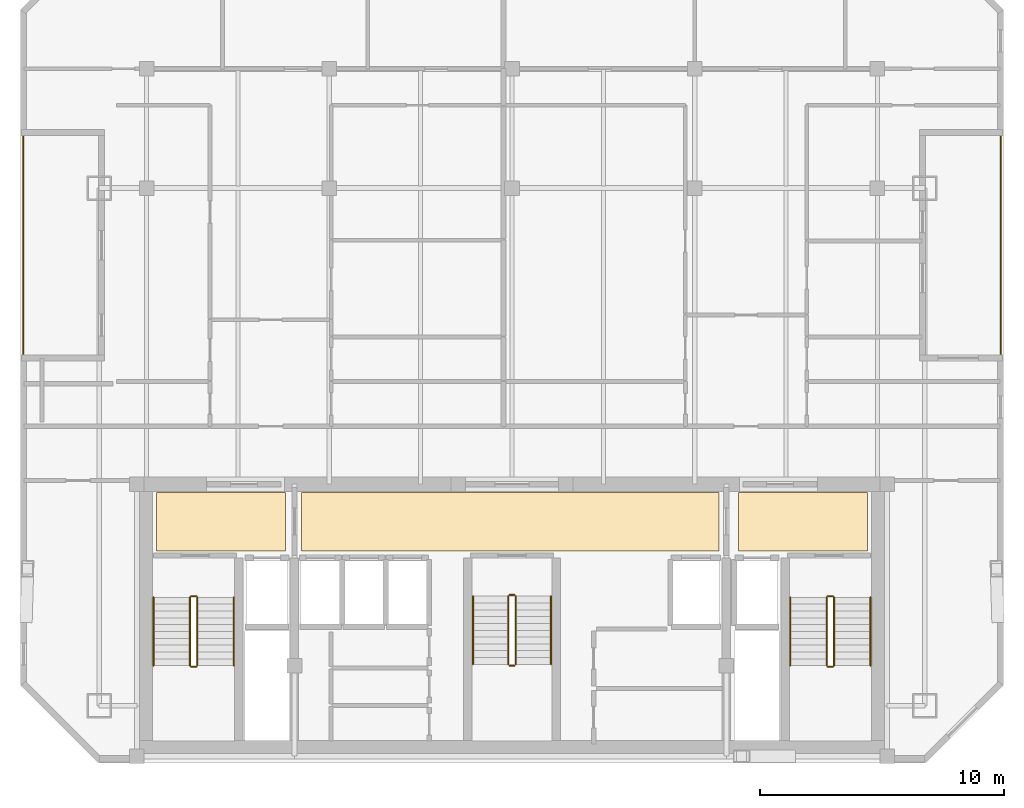
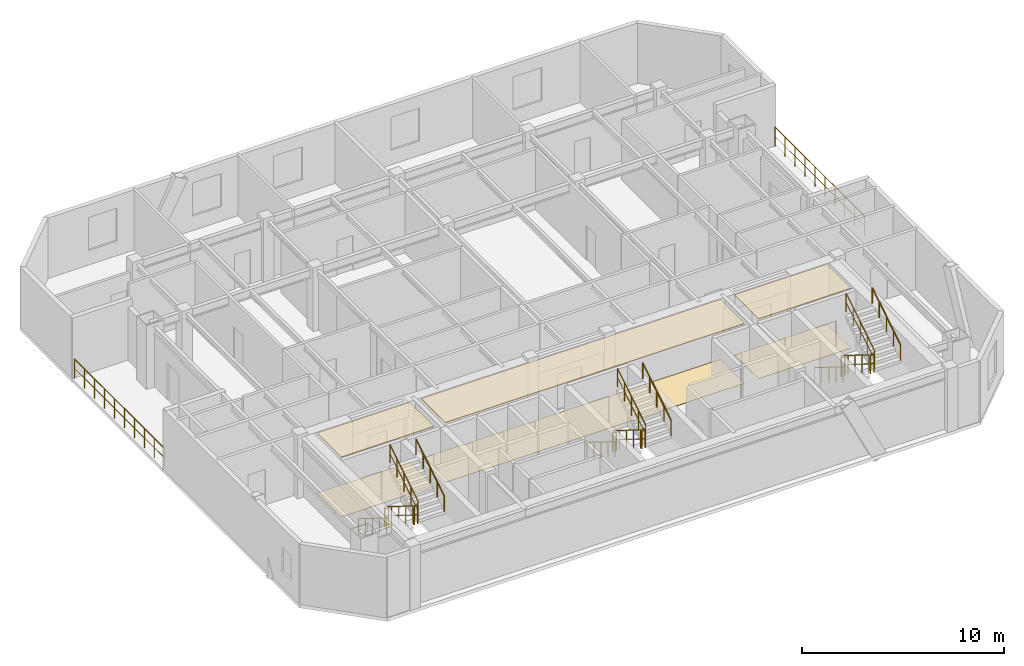
# One storey, part 7 of 7: 20 railings, 6 coverings.
"""IFC4 building model written with IfcOpenShell, lengths in metres."""

from ifc_helpers import new_model, si_unit, direction, frame, origin, origin_2d, place, context, subcontext, project, spatial, polyline, circle, outline, extrude, material, layer, layer_set, type_object, element, save


model = new_model("IFC4")

# Units and contexts
model_context = context("Model", 3, precision=1e-05, world=origin(), true_north=direction((0.0, 1.0)))
body_context = subcontext(model_context, "Body", "Model", "MODEL_VIEW")
ifc_project = project(units=[si_unit("LENGTHUNIT", "METRE"), si_unit("AREAUNIT", "SQUARE_METRE"), si_unit("VOLUMEUNIT", "CUBIC_METRE"), si_unit("PLANEANGLEUNIT", "RADIAN"), si_unit("MASSUNIT", "GRAM", prefix="KILO")], contexts=[model_context])

# Site, building, storey
site_placement = place(None, origin())
site = spatial("IfcSite", under=ifc_project, at=site_placement, CompositionType="ELEMENT")
building_placement = place(site_placement, origin())
building = spatial("IfcBuilding", under=site, at=building_placement, Name="Ventersveld Concourse Tower", CompositionType="ELEMENT")
storey_placement = place(building_placement, frame((0.0, 0.0, 292.60009765625)))
storey = spatial("IfcBuildingStorey", under=building, at=storey_placement, Name="L72", CompositionType="ELEMENT", Elevation=292.60009765625)

# Coverings
ifc_material_1 = material(Name="Mineral-fibre acoustic ceiling tile", Category="gypsum")
ifc_layer_1 = layer(ifc_material_1, 0.0400390625)
ifc_layer_set_1 = layer_set([ifc_layer_1], Name="Mineral-fibre acoustic ceiling tile")
covering_type_1 = type_object("IfcCoveringType", Name="COV-CEIL-ACOUSTIC", PredefinedType="CEILING", material=ifc_layer_set_1)
covering_1_placement = place(storey_placement, frame((0.0, 0.0, 3.60986328125)))
element("IfcCovering", 1, at=covering_1_placement, inside=storey, type_object=covering_type_1, Name="L72 North Lift Lobby Acoustic Ceiling", PredefinedType="CEILING", context=body_context, shape_type="SweptSolid", body=[
    extrude(outline(polyline([(20.10009765625, 8.699951171875), (37.25, 8.699951171875), (37.25, 11.10009765625), (20.10009765625, 11.10009765625), (20.10009765625, 8.699951171875)])), origin(), (0.0, 0.0, 1.0), 0.0400390625),
])
covering_2_placement = place(storey_placement, frame((0.0, 0.0, 3.60986328125)))
element("IfcCovering", 2, at=covering_2_placement, inside=storey, type_object=covering_type_1, Name="L72 West Firefighting Lobby Acoustic Ceiling", PredefinedType="CEILING", context=body_context, shape_type="SweptSolid", body=[
    extrude(outline(polyline([(14.14990234375, 8.699951171875), (19.449951171875, 8.699951171875), (19.449951171875, 11.10009765625), (14.14990234375, 11.10009765625), (14.14990234375, 8.699951171875)])), origin(), (0.0, 0.0, 1.0), 0.0400390625),
])
covering_3_placement = place(storey_placement, frame((0.0, 0.0, 3.60986328125)))
element("IfcCovering", 3, at=covering_3_placement, inside=storey, type_object=covering_type_1, Name="L72 East Firefighting Lobby Acoustic Ceiling", PredefinedType="CEILING", context=body_context, shape_type="SweptSolid", body=[
    extrude(outline(polyline([(38.050048828125, 8.699951171875), (43.35009765625, 8.699951171875), (43.35009765625, 11.10009765625), (38.050048828125, 11.10009765625), (38.050048828125, 8.699951171875)])), origin(), (0.0, 0.0, 1.0), 0.0400390625),
])
ifc_material_2 = material(Name="Polished Highveld granite terrazzo", Category="masonry")
ifc_layer_2 = layer(ifc_material_2, 0.02001953125)
ifc_layer_set_2 = layer_set([ifc_layer_2], Name="Polished Highveld granite terrazzo")
covering_type_2 = type_object("IfcCoveringType", Name="COV-FLOOR-TERRAZZO", PredefinedType="FLOORING", material=ifc_layer_set_2)
covering_4_placement = place(storey_placement, origin())
element("IfcCovering", 4, at=covering_4_placement, inside=storey, type_object=covering_type_2, Name="L72 North Lift Lobby Terrazzo Flooring", PredefinedType="FLOORING", context=body_context, shape_type="SweptSolid", body=[
    extrude(outline(polyline([(20.10009765625, 8.699951171875), (37.25, 8.699951171875), (37.25, 11.10009765625), (20.10009765625, 11.10009765625), (20.10009765625, 8.699951171875)])), origin(), (0.0, 0.0, 1.0), 0.02001953125),
])
covering_5_placement = place(storey_placement, origin())
element("IfcCovering", 5, at=covering_5_placement, inside=storey, type_object=covering_type_2, Name="L72 West Firefighting Lobby Terrazzo Flooring", PredefinedType="FLOORING", context=body_context, shape_type="SweptSolid", body=[
    extrude(outline(polyline([(14.14990234375, 8.699951171875), (19.449951171875, 8.699951171875), (19.449951171875, 11.10009765625), (14.14990234375, 11.10009765625), (14.14990234375, 8.699951171875)])), origin(), (0.0, 0.0, 1.0), 0.02001953125),
])
covering_6_placement = place(storey_placement, origin())
element("IfcCovering", 6, at=covering_6_placement, inside=storey, type_object=covering_type_2, Name="L72 East Firefighting Lobby Terrazzo Flooring", PredefinedType="FLOORING", context=body_context, shape_type="SweptSolid", body=[
    extrude(outline(polyline([(38.050048828125, 8.699951171875), (43.35009765625, 8.699951171875), (43.35009765625, 11.10009765625), (38.050048828125, 11.10009765625), (38.050048828125, 8.699951171875)])), origin(), (0.0, 0.0, 1.0), 0.02001953125),
])

# Railings
ifc_material_3 = material(Name="Brushed stainless steel 316", Category="steel")
railing_type_1 = type_object("IfcRailingType", Name="GD-BAL-115", PredefinedType="GUARDRAIL", material=ifc_material_3)
railing_1_placement = place(storey_placement, frame((15.530029296875, 6.800048828125, 0.1748046875)))
element("IfcRailing", 7, at=railing_1_placement, inside=storey, type_object=railing_type_1, Name="L72 ST-01 stair guard 1", PredefinedType="GUARDRAIL", context=body_context, shape_type="SweptSolid", body=[
    extrude(circle(Radius=0.02392578125, at=origin_2d()), frame((0.0, 0.0, 1.1259765625), z_axis=(0.0, -0.848002457836, 0.529992293815), x_axis=(1.0, 0.0, 0.0)), (0.0, 0.0, 1.0), 3.302001953125),
    extrude(circle(Radius=0.01611328125, at=origin_2d()), frame((0.0, 0.0, 0.574951171875), z_axis=(0.0, -0.848002457836, 0.529992293815), x_axis=(1.0, 0.0, 0.0)), (0.0, 0.0, 1.0), 3.302001953125),
    extrude(circle(Radius=0.02099609375, at=origin_2d()), origin(), (0.0, 0.0, 1.0), 1.101806640625),
    extrude(circle(Radius=0.02099609375, at=origin_2d()), frame((0.0, -0.699951171875, 0.4375)), (0.0, 0.0, 1.0), 1.101806640625),
    extrude(circle(Radius=0.02099609375, at=origin_2d()), frame((0.0, -1.39990234375, 0.875)), (0.0, 0.0, 1.0), 1.101806640625),
    extrude(circle(Radius=0.02099609375, at=origin_2d()), frame((0.0, -2.10009765625, 1.3125)), (0.0, 0.0, 1.0), 1.101806640625),
    extrude(circle(Radius=0.02099609375, at=origin_2d()), frame((0.0, -2.800048828125, 1.75)), (0.0, 0.0, 1.0), 1.101806640625),
])
railing_2_placement = place(storey_placement, frame((15.580078125, 3.949951171875, 1.9248046875)))
element("IfcRailing", 8, at=railing_2_placement, inside=storey, type_object=railing_type_1, Name="L72 ST-01 stair guard 2", PredefinedType="GUARDRAIL", context=body_context, shape_type="SweptSolid", body=[
    extrude(circle(Radius=0.02392578125, at=origin_2d()), frame((0.0, 0.0, 1.1259765625), z_axis=(1.0, 0.0, 0.0), x_axis=(0.0, 1.0, 0.0)), (0.0, 0.0, 1.0), 0.199951171875),
    extrude(circle(Radius=0.01611328125, at=origin_2d()), frame((0.0, 0.0, 0.574951171875), z_axis=(1.0, 0.0, 0.0), x_axis=(0.0, 1.0, 0.0)), (0.0, 0.0, 1.0), 0.199951171875),
    extrude(circle(Radius=0.02099609375, at=origin_2d()), origin(), (0.0, 0.0, 1.0), 1.101806640625),
    extrude(circle(Radius=0.02099609375, at=origin_2d()), frame((0.199951171875, 0.0, 0.0)), (0.0, 0.0, 1.0), 1.101806640625),
])
railing_3_placement = place(storey_placement, frame((15.830078125, 4.0, 2.099853515625)))
element("IfcRailing", 9, at=railing_3_placement, inside=storey, type_object=railing_type_1, Name="L72 ST-01 stair guard 3", PredefinedType="GUARDRAIL", context=body_context, shape_type="SweptSolid", body=[
    extrude(circle(Radius=0.02392578125, at=origin_2d()), frame((0.0, 0.0, 1.1259765625), z_axis=(0.0, 0.848002457836, 0.529992293815), x_axis=(-1.0, 0.0, 0.0)), (0.0, 0.0, 1.0), 3.302001953125),
    extrude(circle(Radius=0.01611328125, at=origin_2d()), frame((0.0, 0.0, 0.574951171875), z_axis=(0.0, 0.848002457836, 0.529992293815), x_axis=(-1.0, 0.0, 0.0)), (0.0, 0.0, 1.0), 3.302001953125),
    extrude(circle(Radius=0.02099609375, at=origin_2d()), origin(), (0.0, 0.0, 1.0), 1.101806640625),
    extrude(circle(Radius=0.02099609375, at=origin_2d()), frame((0.0, 0.699951171875, 0.4375)), (0.0, 0.0, 1.0), 1.101806640625),
    extrude(circle(Radius=0.02099609375, at=origin_2d()), frame((0.0, 1.39990234375, 0.875)), (0.0, 0.0, 1.0), 1.101806640625),
    extrude(circle(Radius=0.02099609375, at=origin_2d()), frame((0.0, 2.10009765625, 1.3125)), (0.0, 0.0, 1.0), 1.101806640625),
    extrude(circle(Radius=0.02099609375, at=origin_2d()), frame((0.0, 2.800048828125, 1.75)), (0.0, 0.0, 1.0), 1.101806640625),
])
railing_4_placement = place(storey_placement, frame((15.580078125, 6.85009765625, 0.0)))
element("IfcRailing", 10, at=railing_4_placement, inside=storey, type_object=railing_type_1, Name="L72 ST-01 stair guard 4", PredefinedType="GUARDRAIL", context=body_context, shape_type="SweptSolid", body=[
    extrude(circle(Radius=0.02392578125, at=origin_2d()), frame((0.0, 0.0, 1.1259765625), z_axis=(1.0, 0.0, 0.0), x_axis=(0.0, 1.0, 0.0)), (0.0, 0.0, 1.0), 0.199951171875),
    extrude(circle(Radius=0.01611328125, at=origin_2d()), frame((0.0, 0.0, 0.574951171875), z_axis=(1.0, 0.0, 0.0), x_axis=(0.0, 1.0, 0.0)), (0.0, 0.0, 1.0), 0.199951171875),
    extrude(circle(Radius=0.02099609375, at=origin_2d()), origin(), (0.0, 0.0, 1.0), 1.101806640625),
    extrude(circle(Radius=0.02099609375, at=origin_2d()), frame((0.199951171875, 0.0, 0.0)), (0.0, 0.0, 1.0), 1.101806640625),
])
railing_5_placement = place(storey_placement, frame((41.669921875, 6.800048828125, 0.1748046875)))
element("IfcRailing", 11, at=railing_5_placement, inside=storey, type_object=railing_type_1, Name="L72 ST-02 stair guard 1", PredefinedType="GUARDRAIL", context=body_context, shape_type="SweptSolid", body=[
    extrude(circle(Radius=0.02392578125, at=origin_2d()), frame((0.0, 0.0, 1.1259765625), z_axis=(0.0, -0.848002457836, 0.529992293815), x_axis=(1.0, 0.0, 0.0)), (0.0, 0.0, 1.0), 3.302001953125),
    extrude(circle(Radius=0.01611328125, at=origin_2d()), frame((0.0, 0.0, 0.574951171875), z_axis=(0.0, -0.848002457836, 0.529992293815), x_axis=(1.0, 0.0, 0.0)), (0.0, 0.0, 1.0), 3.302001953125),
    extrude(circle(Radius=0.02099609375, at=origin_2d()), origin(), (0.0, 0.0, 1.0), 1.101806640625),
    extrude(circle(Radius=0.02099609375, at=origin_2d()), frame((0.0, -0.699951171875, 0.4375)), (0.0, 0.0, 1.0), 1.101806640625),
    extrude(circle(Radius=0.02099609375, at=origin_2d()), frame((0.0, -1.39990234375, 0.875)), (0.0, 0.0, 1.0), 1.101806640625),
    extrude(circle(Radius=0.02099609375, at=origin_2d()), frame((0.0, -2.10009765625, 1.3125)), (0.0, 0.0, 1.0), 1.101806640625),
    extrude(circle(Radius=0.02099609375, at=origin_2d()), frame((0.0, -2.800048828125, 1.75)), (0.0, 0.0, 1.0), 1.101806640625),
])
railing_6_placement = place(storey_placement, frame((41.719970703125, 3.949951171875, 1.9248046875)))
element("IfcRailing", 12, at=railing_6_placement, inside=storey, type_object=railing_type_1, Name="L72 ST-02 stair guard 2", PredefinedType="GUARDRAIL", context=body_context, shape_type="SweptSolid", body=[
    extrude(circle(Radius=0.02392578125, at=origin_2d()), frame((0.0, 0.0, 1.1259765625), z_axis=(1.0, 0.0, 0.0), x_axis=(0.0, 1.0, 0.0)), (0.0, 0.0, 1.0), 0.199951171875),
    extrude(circle(Radius=0.01611328125, at=origin_2d()), frame((0.0, 0.0, 0.574951171875), z_axis=(1.0, 0.0, 0.0), x_axis=(0.0, 1.0, 0.0)), (0.0, 0.0, 1.0), 0.199951171875),
    extrude(circle(Radius=0.02099609375, at=origin_2d()), origin(), (0.0, 0.0, 1.0), 1.101806640625),
    extrude(circle(Radius=0.02099609375, at=origin_2d()), frame((0.199951171875, 0.0, 0.0)), (0.0, 0.0, 1.0), 1.101806640625),
])
railing_7_placement = place(storey_placement, frame((41.969970703125, 4.0, 2.099853515625)))
element("IfcRailing", 13, at=railing_7_placement, inside=storey, type_object=railing_type_1, Name="L72 ST-02 stair guard 3", PredefinedType="GUARDRAIL", context=body_context, shape_type="SweptSolid", body=[
    extrude(circle(Radius=0.02392578125, at=origin_2d()), frame((0.0, 0.0, 1.1259765625), z_axis=(0.0, 0.848002457836, 0.529992293815), x_axis=(-1.0, 0.0, 0.0)), (0.0, 0.0, 1.0), 3.302001953125),
    extrude(circle(Radius=0.01611328125, at=origin_2d()), frame((0.0, 0.0, 0.574951171875), z_axis=(0.0, 0.848002457836, 0.529992293815), x_axis=(-1.0, 0.0, 0.0)), (0.0, 0.0, 1.0), 3.302001953125),
    extrude(circle(Radius=0.02099609375, at=origin_2d()), origin(), (0.0, 0.0, 1.0), 1.101806640625),
    extrude(circle(Radius=0.02099609375, at=origin_2d()), frame((0.0, 0.699951171875, 0.4375)), (0.0, 0.0, 1.0), 1.101806640625),
    extrude(circle(Radius=0.02099609375, at=origin_2d()), frame((0.0, 1.39990234375, 0.875)), (0.0, 0.0, 1.0), 1.101806640625),
    extrude(circle(Radius=0.02099609375, at=origin_2d()), frame((0.0, 2.10009765625, 1.3125)), (0.0, 0.0, 1.0), 1.101806640625),
    extrude(circle(Radius=0.02099609375, at=origin_2d()), frame((0.0, 2.800048828125, 1.75)), (0.0, 0.0, 1.0), 1.101806640625),
])
railing_8_placement = place(storey_placement, frame((41.719970703125, 6.85009765625, 0.0)))
element("IfcRailing", 14, at=railing_8_placement, inside=storey, type_object=railing_type_1, Name="L72 ST-02 stair guard 4", PredefinedType="GUARDRAIL", context=body_context, shape_type="SweptSolid", body=[
    extrude(circle(Radius=0.02392578125, at=origin_2d()), frame((0.0, 0.0, 1.1259765625), z_axis=(1.0, 0.0, 0.0), x_axis=(0.0, 1.0, 0.0)), (0.0, 0.0, 1.0), 0.199951171875),
    extrude(circle(Radius=0.01611328125, at=origin_2d()), frame((0.0, 0.0, 0.574951171875), z_axis=(1.0, 0.0, 0.0), x_axis=(0.0, 1.0, 0.0)), (0.0, 0.0, 1.0), 0.199951171875),
    extrude(circle(Radius=0.02099609375, at=origin_2d()), origin(), (0.0, 0.0, 1.0), 1.101806640625),
    extrude(circle(Radius=0.02099609375, at=origin_2d()), frame((0.199951171875, 0.0, 0.0)), (0.0, 0.0, 1.0), 1.101806640625),
])
railing_9_placement = place(storey_placement, frame((28.60009765625, 6.85009765625, 0.1748046875)))
element("IfcRailing", 15, at=railing_9_placement, inside=storey, type_object=railing_type_1, Name="L72 ST-03 stair guard 1", PredefinedType="GUARDRAIL", context=body_context, shape_type="SweptSolid", body=[
    extrude(circle(Radius=0.02392578125, at=origin_2d()), frame((0.0, 0.0, 1.1259765625), z_axis=(0.0, -0.848002457836, 0.529992293815), x_axis=(1.0, 0.0, 0.0)), (0.0, 0.0, 1.0), 3.302001953125),
    extrude(circle(Radius=0.01611328125, at=origin_2d()), frame((0.0, 0.0, 0.574951171875), z_axis=(0.0, -0.848002457836, 0.529992293815), x_axis=(1.0, 0.0, 0.0)), (0.0, 0.0, 1.0), 3.302001953125),
    extrude(circle(Radius=0.02099609375, at=origin_2d()), origin(), (0.0, 0.0, 1.0), 1.101806640625),
    extrude(circle(Radius=0.02099609375, at=origin_2d()), frame((0.0, -0.699951171875, 0.4375)), (0.0, 0.0, 1.0), 1.101806640625),
    extrude(circle(Radius=0.02099609375, at=origin_2d()), frame((0.0, -1.39990234375, 0.875)), (0.0, 0.0, 1.0), 1.101806640625),
    extrude(circle(Radius=0.02099609375, at=origin_2d()), frame((0.0, -2.10009765625, 1.3125)), (0.0, 0.0, 1.0), 1.101806640625),
    extrude(circle(Radius=0.02099609375, at=origin_2d()), frame((0.0, -2.800048828125, 1.75)), (0.0, 0.0, 1.0), 1.101806640625),
])
railing_10_placement = place(storey_placement, frame((28.64990234375, 4.0, 1.9248046875)))
element("IfcRailing", 16, at=railing_10_placement, inside=storey, type_object=railing_type_1, Name="L72 ST-03 stair guard 2", PredefinedType="GUARDRAIL", context=body_context, shape_type="SweptSolid", body=[
    extrude(circle(Radius=0.02392578125, at=origin_2d()), frame((0.0, 0.0, 1.1259765625), z_axis=(1.0, 0.0, 0.0), x_axis=(0.0, 1.0, 0.0)), (0.0, 0.0, 1.0), 0.2001953125),
    extrude(circle(Radius=0.01611328125, at=origin_2d()), frame((0.0, 0.0, 0.574951171875), z_axis=(1.0, 0.0, 0.0), x_axis=(0.0, 1.0, 0.0)), (0.0, 0.0, 1.0), 0.2001953125),
    extrude(circle(Radius=0.02099609375, at=origin_2d()), origin(), (0.0, 0.0, 1.0), 1.101806640625),
    extrude(circle(Radius=0.02099609375, at=origin_2d()), frame((0.2001953125, 0.0, 0.0)), (0.0, 0.0, 1.0), 1.101806640625),
])
railing_11_placement = place(storey_placement, frame((28.89990234375, 4.050048828125, 2.099853515625)))
element("IfcRailing", 17, at=railing_11_placement, inside=storey, type_object=railing_type_1, Name="L72 ST-03 stair guard 3", PredefinedType="GUARDRAIL", context=body_context, shape_type="SweptSolid", body=[
    extrude(circle(Radius=0.02392578125, at=origin_2d()), frame((0.0, 0.0, 1.1259765625), z_axis=(0.0, 0.848002457836, 0.529992293815), x_axis=(-1.0, 0.0, 0.0)), (0.0, 0.0, 1.0), 3.302001953125),
    extrude(circle(Radius=0.01611328125, at=origin_2d()), frame((0.0, 0.0, 0.574951171875), z_axis=(0.0, 0.848002457836, 0.529992293815), x_axis=(-1.0, 0.0, 0.0)), (0.0, 0.0, 1.0), 3.302001953125),
    extrude(circle(Radius=0.02099609375, at=origin_2d()), origin(), (0.0, 0.0, 1.0), 1.101806640625),
    extrude(circle(Radius=0.02099609375, at=origin_2d()), frame((0.0, 0.699951171875, 0.4375)), (0.0, 0.0, 1.0), 1.101806640625),
    extrude(circle(Radius=0.02099609375, at=origin_2d()), frame((0.0, 1.39990234375, 0.875)), (0.0, 0.0, 1.0), 1.101806640625),
    extrude(circle(Radius=0.02099609375, at=origin_2d()), frame((0.0, 2.10009765625, 1.3125)), (0.0, 0.0, 1.0), 1.101806640625),
    extrude(circle(Radius=0.02099609375, at=origin_2d()), frame((0.0, 2.800048828125, 1.75)), (0.0, 0.0, 1.0), 1.101806640625),
])
railing_12_placement = place(storey_placement, frame((28.64990234375, 6.89990234375, 0.0)))
element("IfcRailing", 18, at=railing_12_placement, inside=storey, type_object=railing_type_1, Name="L72 ST-03 stair guard 4", PredefinedType="GUARDRAIL", context=body_context, shape_type="SweptSolid", body=[
    extrude(circle(Radius=0.02392578125, at=origin_2d()), frame((0.0, 0.0, 1.1259765625), z_axis=(1.0, 0.0, 0.0), x_axis=(0.0, 1.0, 0.0)), (0.0, 0.0, 1.0), 0.2001953125),
    extrude(circle(Radius=0.01611328125, at=origin_2d()), frame((0.0, 0.0, 0.574951171875), z_axis=(1.0, 0.0, 0.0), x_axis=(0.0, 1.0, 0.0)), (0.0, 0.0, 1.0), 0.2001953125),
    extrude(circle(Radius=0.02099609375, at=origin_2d()), origin(), (0.0, 0.0, 1.0), 1.101806640625),
    extrude(circle(Radius=0.02099609375, at=origin_2d()), frame((0.2001953125, 0.0, 0.0)), (0.0, 0.0, 1.0), 1.101806640625),
])
railing_type_2 = type_object("IfcRailingType", Name="GD-TER-120", PredefinedType="GUARDRAIL", material=ifc_material_3)
for number, where, name in (
    (19, (8.686279296875, 16.807861328125, 0.0), "L72 Outdoor Terrace Guardrail NOTCH-W"),
    (20, (48.813720703125, 16.807861328125, 0.0), "L72 Outdoor Terrace Guardrail NOTCH-E"),
):
    element("IfcRailing", number, at=place(storey_placement, frame(where)), inside=storey, type_object=railing_type_2, Name=name, PredefinedType="GUARDRAIL", context=body_context, shape_type="SweptSolid", body=[
        extrude(circle(Radius=0.02392578125, at=origin_2d()), frame((0.0, 0.0, 1.17578125), z_axis=(0.0, 1.0, 0.0), x_axis=(-1.0, 0.0, 0.0)), (0.0, 0.0, 1.0), 8.89990234375),
        extrude(circle(Radius=0.01611328125, at=origin_2d()), frame((0.0, 0.0, 0.60009765625), z_axis=(0.0, 1.0, 0.0), x_axis=(-1.0, 0.0, 0.0)), (0.0, 0.0, 1.0), 8.89990234375),
        extrude(circle(Radius=0.02099609375, at=origin_2d()), origin(), (0.0, 0.0, 1.0), 1.15185546875),
        extrude(circle(Radius=0.02099609375, at=origin_2d()), frame((0.0, 0.98876953125, 0.0)), (0.0, 0.0, 1.0), 1.15185546875),
        extrude(circle(Radius=0.02099609375, at=origin_2d()), frame((0.0, 1.977783203125, 0.0)), (0.0, 0.0, 1.0), 1.15185546875),
        extrude(circle(Radius=0.02099609375, at=origin_2d()), frame((0.0, 2.966552734375, 0.0)), (0.0, 0.0, 1.0), 1.15185546875),
        extrude(circle(Radius=0.02099609375, at=origin_2d()), frame((0.0, 3.95556640625, 0.0)), (0.0, 0.0, 1.0), 1.15185546875),
        extrude(circle(Radius=0.02099609375, at=origin_2d()), frame((0.0, 4.9443359375, 0.0)), (0.0, 0.0, 1.0), 1.15185546875),
        extrude(circle(Radius=0.02099609375, at=origin_2d()), frame((0.0, 5.933349609375, 0.0)), (0.0, 0.0, 1.0), 1.15185546875),
        extrude(circle(Radius=0.02099609375, at=origin_2d()), frame((0.0, 6.922119140625, 0.0)), (0.0, 0.0, 1.0), 1.15185546875),
        extrude(circle(Radius=0.02099609375, at=origin_2d()), frame((0.0, 7.9111328125, 0.0)), (0.0, 0.0, 1.0), 1.15185546875),
        extrude(circle(Radius=0.02099609375, at=origin_2d()), frame((0.0, 8.89990234375, 0.0)), (0.0, 0.0, 1.0), 1.15185546875),
    ])
railing_type_3 = type_object("IfcRailingType", Name="HR-RMP-095", PredefinedType="HANDRAIL", material=ifc_material_3)
railing_13_placement = place(storey_placement, frame((14.030029296875, 6.800048828125, 0.1748046875)))
element("IfcRailing", 21, at=railing_13_placement, inside=storey, type_object=railing_type_3, Name="L72 ST-01 stair handrail 1", PredefinedType="HANDRAIL", context=body_context, shape_type="SweptSolid", body=[
    extrude(circle(Radius=0.02392578125, at=origin_2d()), frame((0.0, 0.0, 0.92578125), z_axis=(0.0, -0.848002457836, 0.529992293815), x_axis=(1.0, 0.0, 0.0)), (0.0, 0.0, 1.0), 3.302001953125),
    extrude(circle(Radius=0.02099609375, at=origin_2d()), origin(), (0.0, 0.0, 1.0), 0.90185546875),
    extrude(circle(Radius=0.02099609375, at=origin_2d()), frame((0.0, -0.699951171875, 0.4375)), (0.0, 0.0, 1.0), 0.90185546875),
    extrude(circle(Radius=0.02099609375, at=origin_2d()), frame((0.0, -1.39990234375, 0.875)), (0.0, 0.0, 1.0), 0.90185546875),
    extrude(circle(Radius=0.02099609375, at=origin_2d()), frame((0.0, -2.10009765625, 1.3125)), (0.0, 0.0, 1.0), 0.90185546875),
    extrude(circle(Radius=0.02099609375, at=origin_2d()), frame((0.0, -2.800048828125, 1.75)), (0.0, 0.0, 1.0), 0.90185546875),
])
railing_14_placement = place(storey_placement, frame((17.330078125, 4.0, 2.099853515625)))
element("IfcRailing", 22, at=railing_14_placement, inside=storey, type_object=railing_type_3, Name="L72 ST-01 stair handrail 2", PredefinedType="HANDRAIL", context=body_context, shape_type="SweptSolid", body=[
    extrude(circle(Radius=0.02392578125, at=origin_2d()), frame((0.0, 0.0, 0.92578125), z_axis=(0.0, 0.848002457836, 0.529992293815), x_axis=(-1.0, 0.0, 0.0)), (0.0, 0.0, 1.0), 3.302001953125),
    extrude(circle(Radius=0.02099609375, at=origin_2d()), origin(), (0.0, 0.0, 1.0), 0.90185546875),
    extrude(circle(Radius=0.02099609375, at=origin_2d()), frame((0.0, 0.699951171875, 0.4375)), (0.0, 0.0, 1.0), 0.90185546875),
    extrude(circle(Radius=0.02099609375, at=origin_2d()), frame((0.0, 1.39990234375, 0.875)), (0.0, 0.0, 1.0), 0.90185546875),
    extrude(circle(Radius=0.02099609375, at=origin_2d()), frame((0.0, 2.10009765625, 1.3125)), (0.0, 0.0, 1.0), 0.90185546875),
    extrude(circle(Radius=0.02099609375, at=origin_2d()), frame((0.0, 2.800048828125, 1.75)), (0.0, 0.0, 1.0), 0.90185546875),
])
railing_15_placement = place(storey_placement, frame((40.169921875, 6.800048828125, 0.1748046875)))
element("IfcRailing", 23, at=railing_15_placement, inside=storey, type_object=railing_type_3, Name="L72 ST-02 stair handrail 1", PredefinedType="HANDRAIL", context=body_context, shape_type="SweptSolid", body=[
    extrude(circle(Radius=0.02392578125, at=origin_2d()), frame((0.0, 0.0, 0.92578125), z_axis=(0.0, -0.848002457836, 0.529992293815), x_axis=(1.0, 0.0, 0.0)), (0.0, 0.0, 1.0), 3.302001953125),
    extrude(circle(Radius=0.02099609375, at=origin_2d()), origin(), (0.0, 0.0, 1.0), 0.90185546875),
    extrude(circle(Radius=0.02099609375, at=origin_2d()), frame((0.0, -0.699951171875, 0.4375)), (0.0, 0.0, 1.0), 0.90185546875),
    extrude(circle(Radius=0.02099609375, at=origin_2d()), frame((0.0, -1.39990234375, 0.875)), (0.0, 0.0, 1.0), 0.90185546875),
    extrude(circle(Radius=0.02099609375, at=origin_2d()), frame((0.0, -2.10009765625, 1.3125)), (0.0, 0.0, 1.0), 0.90185546875),
    extrude(circle(Radius=0.02099609375, at=origin_2d()), frame((0.0, -2.800048828125, 1.75)), (0.0, 0.0, 1.0), 0.90185546875),
])
railing_16_placement = place(storey_placement, frame((43.469970703125, 4.0, 2.099853515625)))
element("IfcRailing", 24, at=railing_16_placement, inside=storey, type_object=railing_type_3, Name="L72 ST-02 stair handrail 2", PredefinedType="HANDRAIL", context=body_context, shape_type="SweptSolid", body=[
    extrude(circle(Radius=0.02392578125, at=origin_2d()), frame((0.0, 0.0, 0.92578125), z_axis=(0.0, 0.848002457836, 0.529992293815), x_axis=(-1.0, 0.0, 0.0)), (0.0, 0.0, 1.0), 3.302001953125),
    extrude(circle(Radius=0.02099609375, at=origin_2d()), origin(), (0.0, 0.0, 1.0), 0.90185546875),
    extrude(circle(Radius=0.02099609375, at=origin_2d()), frame((0.0, 0.699951171875, 0.4375)), (0.0, 0.0, 1.0), 0.90185546875),
    extrude(circle(Radius=0.02099609375, at=origin_2d()), frame((0.0, 1.39990234375, 0.875)), (0.0, 0.0, 1.0), 0.90185546875),
    extrude(circle(Radius=0.02099609375, at=origin_2d()), frame((0.0, 2.10009765625, 1.3125)), (0.0, 0.0, 1.0), 0.90185546875),
    extrude(circle(Radius=0.02099609375, at=origin_2d()), frame((0.0, 2.800048828125, 1.75)), (0.0, 0.0, 1.0), 0.90185546875),
])
railing_17_placement = place(storey_placement, frame((27.14990234375, 6.85009765625, 0.1748046875)))
element("IfcRailing", 25, at=railing_17_placement, inside=storey, type_object=railing_type_3, Name="L72 ST-03 stair handrail 1", PredefinedType="HANDRAIL", context=body_context, shape_type="SweptSolid", body=[
    extrude(circle(Radius=0.02392578125, at=origin_2d()), frame((0.0, 0.0, 0.92578125), z_axis=(0.0, -0.848002457836, 0.529992293815), x_axis=(1.0, 0.0, 0.0)), (0.0, 0.0, 1.0), 3.302001953125),
    extrude(circle(Radius=0.02099609375, at=origin_2d()), origin(), (0.0, 0.0, 1.0), 0.90185546875),
    extrude(circle(Radius=0.02099609375, at=origin_2d()), frame((0.0, -0.699951171875, 0.4375)), (0.0, 0.0, 1.0), 0.90185546875),
    extrude(circle(Radius=0.02099609375, at=origin_2d()), frame((0.0, -1.39990234375, 0.875)), (0.0, 0.0, 1.0), 0.90185546875),
    extrude(circle(Radius=0.02099609375, at=origin_2d()), frame((0.0, -2.10009765625, 1.3125)), (0.0, 0.0, 1.0), 0.90185546875),
    extrude(circle(Radius=0.02099609375, at=origin_2d()), frame((0.0, -2.800048828125, 1.75)), (0.0, 0.0, 1.0), 0.90185546875),
])
railing_18_placement = place(storey_placement, frame((30.35009765625, 4.050048828125, 2.099853515625)))
element("IfcRailing", 26, at=railing_18_placement, inside=storey, type_object=railing_type_3, Name="L72 ST-03 stair handrail 2", PredefinedType="HANDRAIL", context=body_context, shape_type="SweptSolid", body=[
    extrude(circle(Radius=0.02392578125, at=origin_2d()), frame((0.0, 0.0, 0.92578125), z_axis=(0.0, 0.848002457836, 0.529992293815), x_axis=(-1.0, 0.0, 0.0)), (0.0, 0.0, 1.0), 3.302001953125),
    extrude(circle(Radius=0.02099609375, at=origin_2d()), origin(), (0.0, 0.0, 1.0), 0.90185546875),
    extrude(circle(Radius=0.02099609375, at=origin_2d()), frame((0.0, 0.699951171875, 0.4375)), (0.0, 0.0, 1.0), 0.90185546875),
    extrude(circle(Radius=0.02099609375, at=origin_2d()), frame((0.0, 1.39990234375, 0.875)), (0.0, 0.0, 1.0), 0.90185546875),
    extrude(circle(Radius=0.02099609375, at=origin_2d()), frame((0.0, 2.10009765625, 1.3125)), (0.0, 0.0, 1.0), 0.90185546875),
    extrude(circle(Radius=0.02099609375, at=origin_2d()), frame((0.0, 2.800048828125, 1.75)), (0.0, 0.0, 1.0), 0.90185546875),
])

save(model, "model.ifc")
